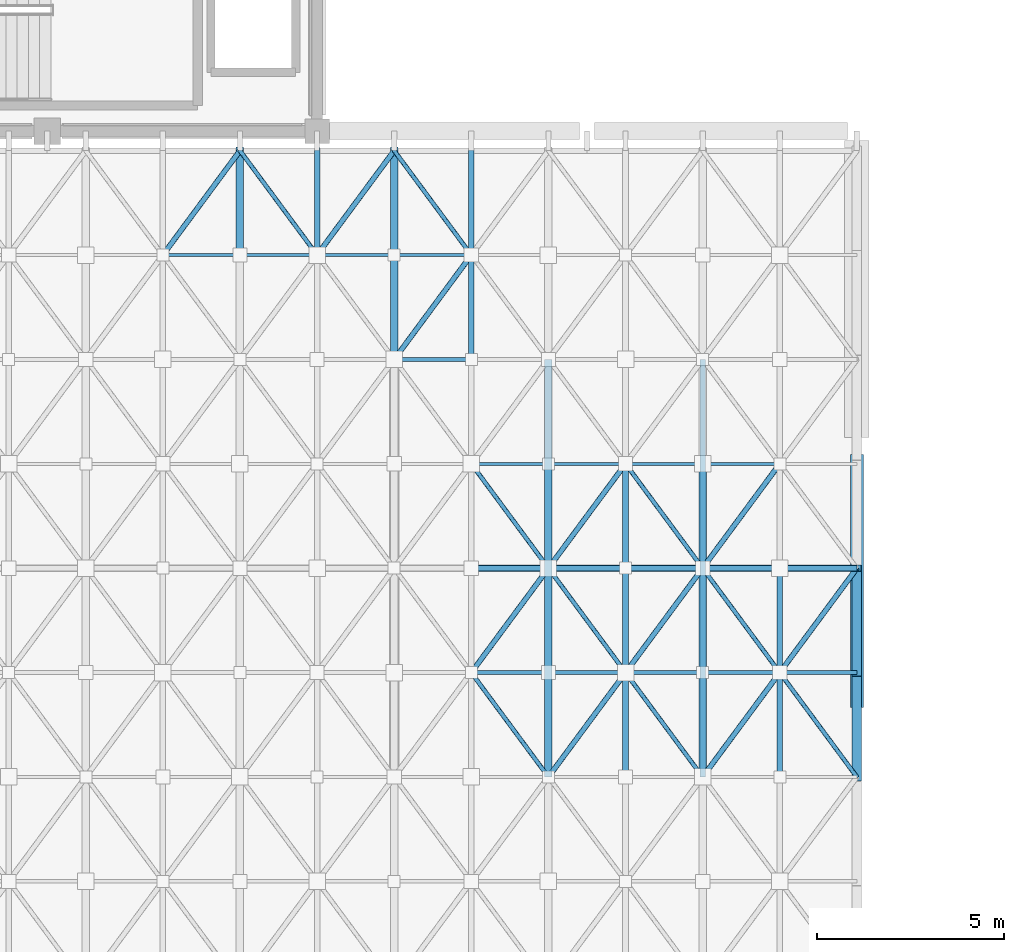
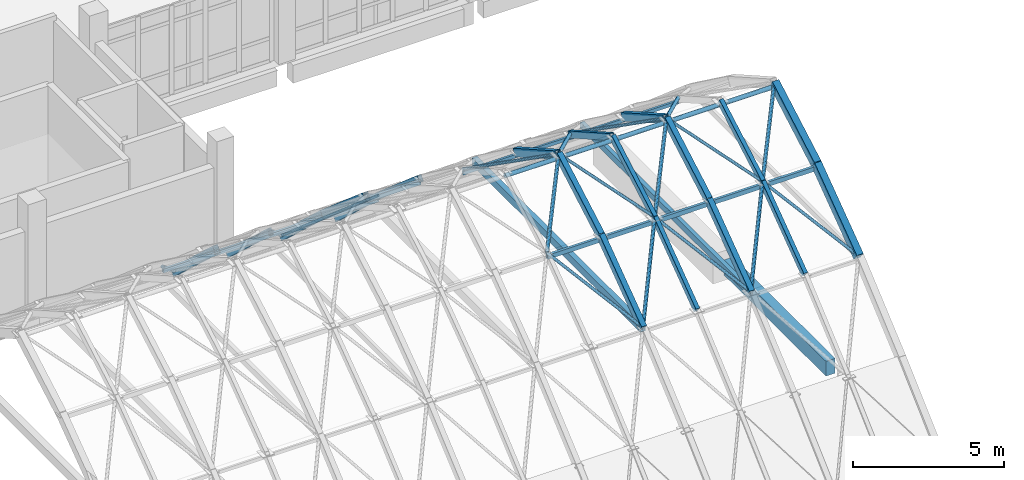
# One storey, part 38 of 87: 59 members, 1 beam.
"""IFC4 building model written with IfcOpenShell, lengths in metres."""

import ifcopenshell
import ifcopenshell.guid

model = None  # the IFC model being written
_history = None  # IfcOwnerHistory: only IFC2X3 demands one
_inside = {}  # id of a spatial element -> (the spatial element, [elements in it])
_under = {}  # id of a project, library or spatial element -> (it, [spatial elements below it])
_declared = {}  # id of a project -> (the project, [libraries it declares])
_typed = {}  # id of a type object -> (the type object, [elements of that type])
_made_of = {}  # id of a material, layer set ... -> (it, [elements and type objects made of it])


def new_model(schema):
    """Start an empty IFC model of exactly this schema.

    Asked for "IFC4X3", IfcOpenShell would pick the latest addendum, in which some entities
    have other attributes; the version numbers below select the first issue.
    IFC2X3 requires an IfcOwnerHistory on every rooted entity: one is made here for all.
    """
    global model, _history
    if schema == "IFC4X3":
        model = ifcopenshell.file(schema_version=(4, 3, 0, 0))
    else:
        model = ifcopenshell.file(schema=schema)
    _inside.clear()
    _under.clear()
    _declared.clear()
    _typed.clear()
    _made_of.clear()
    _history = None
    if model.schema == "IFC2X3":
        org = make("IfcOrganization", Name="unknown")
        user = make(
            "IfcPersonAndOrganization",
            ThePerson=make("IfcPerson", FamilyName="unknown"),
            TheOrganization=org,
        )
        app = make(
            "IfcApplication",
            ApplicationDeveloper=org,
            Version="unknown",
            ApplicationFullName="unknown",
            ApplicationIdentifier="unknown",
        )
        _history = make(
            "IfcOwnerHistory",
            OwningUser=user,
            OwningApplication=app,
            ChangeAction="ADDED",
            CreationDate=0,
        )
    return model


def make(cls, **values):
    """One entity of the class cls with the attributes given. An attribute that is None is left unset."""
    return model.create_entity(
        cls, **{name: value for name, value in values.items() if value is not None}
    )


def rooted(cls, **values):
    """An entity with a GlobalId (a new one), such as an element, a storey or a relation."""
    return make(cls, GlobalId=ifcopenshell.guid.new(), OwnerHistory=_history, **values)


def si_unit(unit_type, name, prefix=None):
    """IfcSIUnit, for example si_unit("LENGTHUNIT", "METRE", prefix="MILLI")."""
    return make("IfcSIUnit", UnitType=unit_type, Prefix=prefix, Name=name)


def assignment(units):
    """IfcUnitAssignment: the units of a project."""
    return None if units is None else make("IfcUnitAssignment", Units=units)


def point(xyz):
    """IfcCartesianPoint."""
    return None if xyz is None else make("IfcCartesianPoint", Coordinates=xyz)


def direction(xyz):
    """IfcDirection."""
    return None if xyz is None else make("IfcDirection", DirectionRatios=xyz)


def frame(location, z_axis=None, x_axis=None):
    """IfcAxis2Placement3D, a coordinate frame: its origin and axes. An axis left out is left unset."""
    return make(
        "IfcAxis2Placement3D",
        Location=point(location),
        Axis=direction(z_axis),
        RefDirection=direction(x_axis),
    )


def frame_2d(location, x_axis=None):
    """IfcAxis2Placement2D, a coordinate frame in the plane: its origin and x axis."""
    return make(
        "IfcAxis2Placement2D", Location=point(location), RefDirection=direction(x_axis)
    )


def origin():
    """The frame at (0, 0, 0) with its axes left unset."""
    return frame((0.0, 0.0, 0.0))


def origin_2d():
    """The frame at (0, 0) in the plane with its x axis left unset."""
    return frame_2d((0.0, 0.0))


def place(relative_to, where):
    """IfcLocalPlacement: puts the frame where relative to a parent placement (None: the world)."""
    return make(
        "IfcLocalPlacement", PlacementRelTo=relative_to, RelativePlacement=where
    )


def context(
    kind, dimensions, precision=None, world=None, true_north=None, identifier=None
):
    """IfcGeometricRepresentationContext, for example the 3D "Model" context."""
    return make(
        "IfcGeometricRepresentationContext",
        ContextIdentifier=identifier,
        ContextType=kind,
        CoordinateSpaceDimension=dimensions,
        Precision=precision,
        WorldCoordinateSystem=world,
        TrueNorth=true_north,
    )


def subcontext(parent, identifier, kind, view, scale=None):
    """IfcGeometricRepresentationSubContext, for example "Body" below "Model"."""
    return make(
        "IfcGeometricRepresentationSubContext",
        ContextIdentifier=identifier,
        ContextType=kind,
        ParentContext=parent,
        TargetScale=scale,
        TargetView=view,
    )


def project(units=None, contexts=None):
    """IfcProject with its units and contexts."""
    return rooted(
        "IfcProject",
        Name="project",
        RepresentationContexts=contexts,
        UnitsInContext=assignment(units),
    )


def spatial(cls, under=None, at=None, **own):
    """A site, building, storey or space (cls), placed at a placement, below another one or the project."""
    s = rooted(cls, ObjectPlacement=at, **own)
    if under is not None:
        _under.setdefault(under.id(), (under, []))[1].append(s)
    return s


def profile(cls, at=None, kind="AREA", **sizes):
    """A parametric profile (cls). Its sizes go by their IFC names, for example OverallWidth=200.0."""
    return make(cls, ProfileType=kind, Position=at, **sizes)


def rectangle(**sizes):
    """IfcRectangleProfileDef."""
    return profile("IfcRectangleProfileDef", **sizes)


def hollow_rectangle(**sizes):
    """IfcRectangleHollowProfileDef."""
    return profile("IfcRectangleHollowProfileDef", **sizes)


def hollow_circle(**sizes):
    """IfcCircleHollowProfileDef."""
    return profile("IfcCircleHollowProfileDef", **sizes)


def extrude(swept, where, along, depth):
    """IfcExtrudedAreaSolid: the profile swept, set in the frame where, extruded along a direction by depth."""
    return make(
        "IfcExtrudedAreaSolid",
        SweptArea=swept,
        Position=where,
        ExtrudedDirection=direction(along),
        Depth=depth,
    )


def shape(context_of_items, identifier, shape_type, items):
    """IfcShapeRepresentation: the items that make up one representation, for example the "Body"."""
    return make(
        "IfcShapeRepresentation",
        ContextOfItems=context_of_items,
        RepresentationIdentifier=identifier,
        RepresentationType=shape_type,
        Items=items,
    )


def material(Name=None, Category=None):
    """IfcMaterial."""
    return make("IfcMaterial", Name=Name, Category=Category)


def material_profile(
    of_material, cross_section, Name=None, Category=None, Priority=None
):
    """IfcMaterialProfile: a cross section and its material."""
    return make(
        "IfcMaterialProfile",
        Name=Name,
        Material=of_material,
        Profile=cross_section,
        Priority=Priority,
        Category=Category,
    )


def profile_set(profiles, Name=None, composite=None):
    """IfcMaterialProfileSet."""
    return make(
        "IfcMaterialProfileSet",
        Name=Name,
        MaterialProfiles=profiles,
        CompositeProfile=composite,
    )


def made_of(thing, what):
    """Note that an element or type object is made of a material, layer set ...; save() writes the relation."""
    if what is not None:
        _made_of.setdefault(what.id(), (what, []))[1].append(thing)
    return thing


def type_object(cls, material=None, **own):
    """A type object (cls), such as IfcWallType, which elements share."""
    return made_of(rooted(cls, **own), material)


def element(
    cls,
    number,
    at=None,
    inside=None,
    cuts=None,
    type_object=None,
    material=None,
    context=None,
    identifier="Body",
    shape_type=None,
    held_by="IfcProductDefinitionShape",
    body=None,
    shapes=None,
    **own,
):
    """One element of the class cls, such as IfcWall. Its Tag is "e" and its number.

    at: its placement. inside: the storey or other place that contains it. cuts: it is an
    opening in that element (IfcRelVoidsElement). A single representation is given by context,
    identifier, shape_type and body (its items); several are given by shapes. held_by: the class
    of the entity that holds the representations. save() writes the other relations.
    """
    e = rooted(cls, Tag="e%d" % number, ObjectPlacement=at, **own)
    if body is not None:
        shapes = [shape(context, identifier, shape_type, body)]
    if shapes is not None:
        e.Representation = make(held_by, Representations=shapes)
    if inside is not None:
        _inside.setdefault(inside.id(), (inside, []))[1].append(e)
    if cuts is not None:
        rooted(
            "IfcRelVoidsElement", RelatingBuildingElement=cuts, RelatedOpeningElement=e
        )
    if type_object is not None:
        _typed.setdefault(type_object.id(), (type_object, []))[1].append(e)
    return made_of(e, material)


def aggregate(whole, parts):
    """IfcRelAggregates: a whole, such as a stair, and the parts it consists of."""
    return rooted("IfcRelAggregates", RelatingObject=whole, RelatedObjects=parts)


def save(model, path):
    """Write the relations noted so far, then the file.

    IfcRelAggregates (storeys below a building ...), IfcRelContainedInSpatialStructure (elements
    in a storey), IfcRelDefinesByType, IfcRelAssociatesMaterial and IfcRelDeclares: one each for
    every whole, place, type object, material and project.
    """
    for whole, parts in _under.values():
        aggregate(whole, parts)
    for where, things in _inside.values():
        rooted(
            "IfcRelContainedInSpatialStructure",
            RelatedElements=things,
            RelatingStructure=where,
        )
    for kind, things in _typed.values():
        rooted("IfcRelDefinesByType", RelatedObjects=things, RelatingType=kind)
    for what, things in _made_of.values():
        rooted("IfcRelAssociatesMaterial", RelatedObjects=things, RelatingMaterial=what)
    for by, libraries in _declared.values():
        rooted("IfcRelDeclares", RelatingContext=by, RelatedDefinitions=libraries)
    model.write(path)


model = new_model("IFC4")

# Units and contexts
model_context = context("Model", 3, precision=1e-05, world=origin(), true_north=direction((0.0, 1.0)))
body_context = subcontext(model_context, "Body", "Model", "MODEL_VIEW")
ifc_project = project(units=[si_unit("LENGTHUNIT", "METRE"), si_unit("AREAUNIT", "SQUARE_METRE"), si_unit("VOLUMEUNIT", "CUBIC_METRE"), si_unit("PLANEANGLEUNIT", "RADIAN"), si_unit("MASSUNIT", "GRAM", prefix="KILO")], contexts=[model_context])

# Site, building, storey
site_placement = place(None, origin())
site = spatial("IfcSite", under=ifc_project, at=site_placement, CompositionType="ELEMENT")
building_placement = place(site_placement, origin())
building = spatial("IfcBuilding", under=site, at=building_placement, Name="Kalluvel Institute of Natural Sciences", CompositionType="ELEMENT")
storey_placement = place(building_placement, frame((0.0, 0.0, 18.89990234375)))
storey = spatial("IfcBuildingStorey", under=building, at=storey_placement, Name="L04", CompositionType="ELEMENT", Elevation=18.89990234375)

# Beam
ifc_material_1 = material(Name="Concrete M40", Category="concrete")
ifc_material_profile_1 = material_profile(ifc_material_1, rectangle(XDim=0.35009765625, YDim=0.60009765625, at=origin_2d()), Name="RCB 350x600")
ifc_profile_set_1 = profile_set([ifc_material_profile_1], Name="Concrete M40")
beam_type = type_object("IfcBeamType", Name="BM-RC350x600", PredefinedType="BEAM", material=ifc_profile_set_1)
beam_placement = place(storey_placement, frame((71.60009765625, 79.02490234375, -0.619873046875), z_axis=(0.0, 1.0, 0.0), x_axis=(-1.0, 0.0, 0.0)))
element("IfcBeam", 1, at=beam_placement, inside=storey, type_object=beam_type, Name="L04 girder GIR-L04-NS-X716-Y788", PredefinedType="BEAM", context=body_context, shape_type="SweptSolid", body=[
    extrude(rectangle(XDim=0.35009765625, YDim=0.60009765625, at=origin_2d()), origin(), (0.0, 0.0, 1.0), 6.75),
])

# Members
ifc_material_2 = material(Name="Steel E350 Grade 350", Category="steel")
ifc_material_profile_2 = material_profile(ifc_material_2, hollow_rectangle(XDim=0.14990234375, YDim=0.25, WallThickness=0.010009765625, at=origin_2d()), Name="RHS 250x150x10")
ifc_profile_set_2 = profile_set([ifc_material_profile_2], Name="Steel E350 Grade 350")
member_type_1 = type_object("IfcMemberType", Name="MB-ARCH-RHS250", PredefinedType="CHORD", material=ifc_profile_set_2)
member_1_placement = place(storey_placement, frame((67.485595703125, 77.169921875, 4.976806640625), z_axis=(0.0, 1.0, 0.0), x_axis=(-1.0, 0.0, 0.0)))
element("IfcMember", 2, at=member_1_placement, inside=storey, type_object=member_type_1, Name="Atrium gridshell Gothic collar tie chord 7", PredefinedType="CHORD", context=body_context, shape_type="SweptSolid", body=[
    extrude(hollow_rectangle(XDim=0.14990234375, YDim=0.25, WallThickness=0.010009765625, at=origin_2d()), origin(), (0.0, 0.0, 1.0), 11.14013671875),
])
ifc_material_profile_3 = material_profile(ifc_material_2, hollow_rectangle(XDim=0.199951171875, YDim=0.300048828125, WallThickness=0.011962890625, at=origin_2d()), Name="RHS 300x200x12")
ifc_profile_set_3 = profile_set([ifc_material_profile_3], Name="Steel E350 Grade 350")
member_type_2 = type_object("IfcMemberType", Name="MB-ARCH-RHS300", PredefinedType="CHORD", material=ifc_profile_set_3)
member_2_placement = place(storey_placement, frame((63.371337890625, 77.169921875, 4.976806640625), z_axis=(0.0, 1.0, 0.0), x_axis=(-1.0, 0.0, 0.0)))
element("IfcMember", 3, at=member_2_placement, inside=storey, type_object=member_type_2, Name="Atrium gridshell Gothic collar tie chord 6", PredefinedType="CHORD", context=body_context, shape_type="SweptSolid", body=[
    extrude(hollow_rectangle(XDim=0.199951171875, YDim=0.300048828125, WallThickness=0.011962890625, at=origin_2d()), origin(), (0.0, 0.0, 1.0), 11.14013671875),
])
ifc_material_profile_4 = material_profile(ifc_material_2, hollow_rectangle(XDim=0.14990234375, YDim=0.25, WallThickness=0.010009765625, at=origin_2d()), Name="RHS 250x150x10")
ifc_profile_set_4 = profile_set([ifc_material_profile_4], Name="Steel E350 Grade 350")
member_type_3 = type_object("IfcMemberType", Name="MB-ARCH-SEG250", PredefinedType="USERDEFINED", material=ifc_profile_set_4)
member_3_placement = place(storey_placement, frame((57.199951171875, 91.094970703125, 2.583740234375), z_axis=(0.0, 0.733088696682, -0.680133047864), x_axis=(-1.0, 0.0, 0.0)))
element("IfcMember", 4, at=member_3_placement, inside=storey, type_object=member_type_3, Name="Atrium gridshell pointed arch segment 64", ObjectType="ARCH_SEGMENT", PredefinedType="USERDEFINED", context=body_context, shape_type="SweptSolid", body=[
    extrude(hollow_rectangle(XDim=0.14990234375, YDim=0.25, WallThickness=0.010009765625, at=origin_2d()), origin(), (0.0, 0.0, 1.0), 3.798828125),
])
member_4_placement = place(storey_placement, frame((61.314208984375, 88.31005859375, 4.976806640625), z_axis=(0.0, 0.758448754264, -0.651732680748), x_axis=(-1.0, 0.0, 0.0)))
element("IfcMember", 5, at=member_4_placement, inside=storey, type_object=member_type_3, Name="Atrium gridshell pointed arch segment 79", ObjectType="ARCH_SEGMENT", PredefinedType="USERDEFINED", context=body_context, shape_type="SweptSolid", body=[
    extrude(hollow_rectangle(XDim=0.14990234375, YDim=0.25, WallThickness=0.010009765625, at=origin_2d()), origin(), (0.0, 0.0, 1.0), 3.671875),
])
member_5_placement = place(storey_placement, frame((61.314208984375, 91.094970703125, 2.583740234375), z_axis=(0.0, 0.733088696682, -0.680133047864), x_axis=(-1.0, 0.0, 0.0)))
element("IfcMember", 6, at=member_5_placement, inside=storey, type_object=member_type_3, Name="Atrium gridshell pointed arch segment 80", ObjectType="ARCH_SEGMENT", PredefinedType="USERDEFINED", context=body_context, shape_type="SweptSolid", body=[
    extrude(hollow_rectangle(XDim=0.14990234375, YDim=0.25, WallThickness=0.010009765625, at=origin_2d()), origin(), (0.0, 0.0, 1.0), 3.798828125),
])
member_6_placement = place(storey_placement, frame((65.4287109375, 77.169921875, 4.976806640625), z_axis=(0.0, 0.806535340499, 0.591185879843), x_axis=(-1.0, 0.0, 0.0)))
element("IfcMember", 7, at=member_6_placement, inside=storey, type_object=member_type_3, Name="Atrium gridshell pointed arch segment 91", ObjectType="ARCH_SEGMENT", PredefinedType="USERDEFINED", context=body_context, shape_type="SweptSolid", body=[
    extrude(hollow_rectangle(XDim=0.14990234375, YDim=0.25, WallThickness=0.010009765625, at=origin_2d()), origin(), (0.0, 0.0, 1.0), 3.453125),
])
for number, where, z_axis, x_axis, name in (
    (8, (65.4287109375, 79.955078125, 7.018310546875), (0.0, 0.869530215722, 0.493879746442), (-1.0, 0.0, 0.0), "Atrium gridshell pointed arch segment 92"),
    (9, (65.4287109375, 82.739990234375, 8.60009765625), (0.0, 0.869530215722, -0.493879746442), (-1.0, 0.0, 0.0), "Atrium gridshell pointed arch segment 93"),
):
    element("IfcMember", number, at=place(storey_placement, frame(where, z_axis=z_axis, x_axis=x_axis)), inside=storey, type_object=member_type_3, Name=name, ObjectType="ARCH_SEGMENT", PredefinedType="USERDEFINED", context=body_context, shape_type="SweptSolid", body=[
        extrude(hollow_rectangle(XDim=0.14990234375, YDim=0.25, WallThickness=0.010009765625, at=origin_2d()), origin(), (0.0, 0.0, 1.0), 3.202880859375),
    ])
member_7_placement = place(storey_placement, frame((69.54296875, 77.169921875, 4.976806640625), z_axis=(0.0, 0.806535340499, 0.591185879843), x_axis=(-1.0, 0.0, 0.0)))
element("IfcMember", 10, at=member_7_placement, inside=storey, type_object=member_type_3, Name="Atrium gridshell pointed arch segment 107", ObjectType="ARCH_SEGMENT", PredefinedType="USERDEFINED", context=body_context, shape_type="SweptSolid", body=[
    extrude(hollow_rectangle(XDim=0.14990234375, YDim=0.25, WallThickness=0.010009765625, at=origin_2d()), origin(), (0.0, 0.0, 1.0), 3.453125),
])
member_8_placement = place(storey_placement, frame((69.54296875, 79.955078125, 7.018310546875), z_axis=(0.0, 0.869530215722, 0.493879746442), x_axis=(-1.0, 0.0, 0.0)))
element("IfcMember", 11, at=member_8_placement, inside=storey, type_object=member_type_3, Name="Atrium gridshell pointed arch segment 108", ObjectType="ARCH_SEGMENT", PredefinedType="USERDEFINED", context=body_context, shape_type="SweptSolid", body=[
    extrude(hollow_rectangle(XDim=0.14990234375, YDim=0.25, WallThickness=0.010009765625, at=origin_2d()), origin(), (0.0, 0.0, 1.0), 3.202880859375),
])
ifc_material_profile_5 = material_profile(ifc_material_2, hollow_rectangle(XDim=0.199951171875, YDim=0.300048828125, WallThickness=0.011962890625, at=origin_2d()), Name="RHS 300x200x12")
ifc_profile_set_5 = profile_set([ifc_material_profile_5], Name="Steel E350 Grade 350")
member_type_4 = type_object("IfcMemberType", Name="MB-ARCH-SEG300", PredefinedType="USERDEFINED", material=ifc_profile_set_5)
member_9_placement = place(storey_placement, frame((55.142822265625, 91.094970703125, 2.583740234375), z_axis=(0.0, 0.733088696682, -0.680133047864), x_axis=(-1.0, 0.0, 0.0)))
element("IfcMember", 12, at=member_9_placement, inside=storey, type_object=member_type_4, Name="Atrium gridshell pointed arch segment 56", ObjectType="ARCH_SEGMENT", PredefinedType="USERDEFINED", context=body_context, shape_type="SweptSolid", body=[
    extrude(hollow_rectangle(XDim=0.199951171875, YDim=0.300048828125, WallThickness=0.011962890625, at=origin_2d()), origin(), (0.0, 0.0, 1.0), 3.798828125),
])
member_10_placement = place(storey_placement, frame((59.257080078125, 88.31005859375, 4.976806640625), z_axis=(0.0, 0.758448754264, -0.651732680748), x_axis=(-1.0, 0.0, 0.0)))
element("IfcMember", 13, at=member_10_placement, inside=storey, type_object=member_type_4, Name="Atrium gridshell pointed arch segment 71", ObjectType="ARCH_SEGMENT", PredefinedType="USERDEFINED", context=body_context, shape_type="SweptSolid", body=[
    extrude(hollow_rectangle(XDim=0.199951171875, YDim=0.300048828125, WallThickness=0.011962890625, at=origin_2d()), origin(), (0.0, 0.0, 1.0), 3.671875),
])
member_11_placement = place(storey_placement, frame((59.257080078125, 91.094970703125, 2.583740234375), z_axis=(0.0, 0.733088696682, -0.680133047864), x_axis=(-1.0, 0.0, 0.0)))
element("IfcMember", 14, at=member_11_placement, inside=storey, type_object=member_type_4, Name="Atrium gridshell pointed arch segment 72", ObjectType="ARCH_SEGMENT", PredefinedType="USERDEFINED", context=body_context, shape_type="SweptSolid", body=[
    extrude(hollow_rectangle(XDim=0.199951171875, YDim=0.300048828125, WallThickness=0.011962890625, at=origin_2d()), origin(), (0.0, 0.0, 1.0), 3.798828125),
])
member_12_placement = place(storey_placement, frame((63.371337890625, 77.169921875, 4.976806640625), z_axis=(0.0, 0.806535340499, 0.591185879843), x_axis=(-1.0, 0.0, 0.0)))
element("IfcMember", 15, at=member_12_placement, inside=storey, type_object=member_type_4, Name="Atrium gridshell pointed arch segment 83", ObjectType="ARCH_SEGMENT", PredefinedType="USERDEFINED", context=body_context, shape_type="SweptSolid", body=[
    extrude(hollow_rectangle(XDim=0.199951171875, YDim=0.300048828125, WallThickness=0.011962890625, at=origin_2d()), origin(), (0.0, 0.0, 1.0), 3.453125),
])
for number, where, z_axis, x_axis, name in (
    (16, (63.371337890625, 79.955078125, 7.018310546875), (0.0, 0.869530215722, 0.493879746442), (-1.0, 0.0, 0.0), "Atrium gridshell pointed arch segment 84"),
    (17, (63.371337890625, 82.739990234375, 8.60009765625), (0.0, 0.869530215722, -0.493879746442), (-1.0, 0.0, 0.0), "Atrium gridshell pointed arch segment 85"),
):
    element("IfcMember", number, at=place(storey_placement, frame(where, z_axis=z_axis, x_axis=x_axis)), inside=storey, type_object=member_type_4, Name=name, ObjectType="ARCH_SEGMENT", PredefinedType="USERDEFINED", context=body_context, shape_type="SweptSolid", body=[
        extrude(hollow_rectangle(XDim=0.199951171875, YDim=0.300048828125, WallThickness=0.011962890625, at=origin_2d()), origin(), (0.0, 0.0, 1.0), 3.202880859375),
    ])
member_13_placement = place(storey_placement, frame((67.485595703125, 77.169921875, 4.976806640625), z_axis=(0.0, 0.806535340499, 0.591185879843), x_axis=(-1.0, 0.0, 0.0)))
element("IfcMember", 18, at=member_13_placement, inside=storey, type_object=member_type_4, Name="Atrium gridshell pointed arch segment 99", ObjectType="ARCH_SEGMENT", PredefinedType="USERDEFINED", context=body_context, shape_type="SweptSolid", body=[
    extrude(hollow_rectangle(XDim=0.199951171875, YDim=0.300048828125, WallThickness=0.011962890625, at=origin_2d()), origin(), (0.0, 0.0, 1.0), 3.453125),
])
for number, where, z_axis, x_axis, name in (
    (19, (67.485595703125, 79.955078125, 7.018310546875), (0.0, 0.869530215722, 0.493879746442), (-1.0, 0.0, 0.0), "Atrium gridshell pointed arch segment 100"),
    (20, (67.485595703125, 82.739990234375, 8.60009765625), (0.0, 0.869530215722, -0.493879746442), (-1.0, 0.0, 0.0), "Atrium gridshell pointed arch segment 101"),
):
    element("IfcMember", number, at=place(storey_placement, frame(where, z_axis=z_axis, x_axis=x_axis)), inside=storey, type_object=member_type_4, Name=name, ObjectType="ARCH_SEGMENT", PredefinedType="USERDEFINED", context=body_context, shape_type="SweptSolid", body=[
        extrude(hollow_rectangle(XDim=0.199951171875, YDim=0.300048828125, WallThickness=0.011962890625, at=origin_2d()), origin(), (0.0, 0.0, 1.0), 3.202880859375),
    ])
ifc_material_profile_6 = material_profile(ifc_material_2, hollow_rectangle(XDim=0.25, YDim=0.35009765625, WallThickness=0.012451171875, at=origin_2d()), Name="RHS 350x250x12")
ifc_profile_set_6 = profile_set([ifc_material_profile_6], Name="Steel E350 Grade 350")
member_type_5 = type_object("IfcMemberType", Name="MB-ARCH-SEG350", PredefinedType="USERDEFINED", material=ifc_profile_set_6)
member_14_placement = place(storey_placement, frame((71.60009765625, 77.169921875, 4.976806640625), z_axis=(0.0, 0.806535340499, 0.591185879843), x_axis=(-1.0, 0.0, 0.0)))
element("IfcMember", 21, at=member_14_placement, inside=storey, type_object=member_type_5, Name="Atrium gridshell pointed arch segment 115", ObjectType="ARCH_SEGMENT", PredefinedType="USERDEFINED", context=body_context, shape_type="SweptSolid", body=[
    extrude(hollow_rectangle(XDim=0.25, YDim=0.35009765625, WallThickness=0.012451171875, at=origin_2d()), origin(), (0.0, 0.0, 1.0), 3.453125),
])
member_15_placement = place(storey_placement, frame((71.60009765625, 79.955078125, 7.018310546875), z_axis=(0.0, 0.869530215722, 0.493879746442), x_axis=(-1.0, 0.0, 0.0)))
element("IfcMember", 22, at=member_15_placement, inside=storey, type_object=member_type_5, Name="Atrium gridshell pointed arch segment 116", ObjectType="ARCH_SEGMENT", PredefinedType="USERDEFINED", context=body_context, shape_type="SweptSolid", body=[
    extrude(hollow_rectangle(XDim=0.25, YDim=0.35009765625, WallThickness=0.012451171875, at=origin_2d()), origin(), (0.0, 0.0, 1.0), 3.202880859375),
])
ifc_material_profile_7 = material_profile(ifc_material_2, hollow_circle(Radius=0.05712890625, WallThickness=0.006103515625, at=origin_2d()), Name="CHS 114.3x6.0")
ifc_profile_set_7 = profile_set([ifc_material_profile_7], Name="Steel E350 Grade 350")
member_type_6 = type_object("IfcMemberType", Name="MB-BR-CHS114", PredefinedType="BRACE", material=ifc_profile_set_7)
for number, where, z_axis, x_axis, name in (
    (23, (57.199951171875, 91.094970703125, 2.603759765625), (-0.476176678593, 0.644641273761, -0.598074743597), (-0.804353425168, -0.594151131802, 0.0), "Atrium gridshell diagonal brace 56"),
    (24, (61.314208984375, 91.094970703125, 2.603759765625), (-0.476176678593, 0.644641273761, -0.598074743597), (-0.804353425168, -0.594151131802, 0.0), "Atrium gridshell diagonal brace 72"),
):
    element("IfcMember", number, at=place(storey_placement, frame(where, z_axis=z_axis, x_axis=x_axis)), inside=storey, type_object=member_type_6, Name=name, PredefinedType="BRACE", context=body_context, shape_type="SweptSolid", body=[
        extrude(hollow_circle(Radius=0.05712890625, WallThickness=0.006103515625, at=origin_2d()), origin(), (0.0, 0.0, 1.0), 4.320068359375),
    ])
member_16_placement = place(storey_placement, frame((63.371337890625, 77.169921875, 4.996826171875), z_axis=(-0.51178357928, 0.692906132498, 0.507896307849), x_axis=(-0.804378315597, -0.594117434013, 0.0)))
element("IfcMember", 25, at=member_16_placement, inside=storey, type_object=member_type_6, Name="Atrium gridshell diagonal brace 75", PredefinedType="BRACE", context=body_context, shape_type="SweptSolid", body=[
    extrude(hollow_circle(Radius=0.05712890625, WallThickness=0.006103515625, at=origin_2d()), origin(), (0.0, 0.0, 1.0), 4.01953125),
])
member_17_placement = place(storey_placement, frame((63.371337890625, 82.739990234375, 8.6201171875), z_axis=(-0.540423006608, 0.731617046805, -0.415547194376), x_axis=(-0.804353425168, -0.594151131802, 0.0)))
element("IfcMember", 26, at=member_17_placement, inside=storey, type_object=member_type_6, Name="Atrium gridshell diagonal brace 77", PredefinedType="BRACE", context=body_context, shape_type="SweptSolid", body=[
    extrude(hollow_circle(Radius=0.05712890625, WallThickness=0.006103515625, at=origin_2d()), origin(), (0.0, 0.0, 1.0), 3.806396484375),
])
member_18_placement = place(storey_placement, frame((65.4287109375, 79.955078125, 7.038330078125), z_axis=(-0.540468409976, 0.731591687741, 0.415532790819), x_axis=(-0.804319726107, -0.594196750408, 0.0)))
element("IfcMember", 27, at=member_18_placement, inside=storey, type_object=member_type_6, Name="Atrium gridshell diagonal brace 84", PredefinedType="BRACE", context=body_context, shape_type="SweptSolid", body=[
    extrude(hollow_circle(Radius=0.05712890625, WallThickness=0.006103515625, at=origin_2d()), origin(), (0.0, 0.0, 1.0), 3.806640625),
])
member_19_placement = place(storey_placement, frame((67.485595703125, 77.169921875, 4.996826171875), z_axis=(-0.511738747379, 0.692927671229, 0.507912095619), x_axis=(-0.804412012113, -0.594071809437, 0.0)))
element("IfcMember", 28, at=member_19_placement, inside=storey, type_object=member_type_6, Name="Atrium gridshell diagonal brace 91", PredefinedType="BRACE", context=body_context, shape_type="SweptSolid", body=[
    extrude(hollow_circle(Radius=0.05712890625, WallThickness=0.006103515625, at=origin_2d()), origin(), (0.0, 0.0, 1.0), 4.019287109375),
])
member_20_placement = place(storey_placement, frame((67.485595703125, 82.739990234375, 8.6201171875), z_axis=(-0.540377598518, 0.731642405495, -0.415561597721), x_axis=(-0.804387124464, -0.594105507461, 0.0)))
element("IfcMember", 29, at=member_20_placement, inside=storey, type_object=member_type_6, Name="Atrium gridshell diagonal brace 93", PredefinedType="BRACE", context=body_context, shape_type="SweptSolid", body=[
    extrude(hollow_circle(Radius=0.05712890625, WallThickness=0.006103515625, at=origin_2d()), origin(), (0.0, 0.0, 1.0), 3.806396484375),
])
member_21_placement = place(storey_placement, frame((69.54296875, 79.955078125, 7.038330078125), z_axis=(-0.540468409976, 0.731591687741, 0.415532790819), x_axis=(-0.804319726107, -0.594196750408, 0.0)))
element("IfcMember", 30, at=member_21_placement, inside=storey, type_object=member_type_6, Name="Atrium gridshell diagonal brace 100", PredefinedType="BRACE", context=body_context, shape_type="SweptSolid", body=[
    extrude(hollow_circle(Radius=0.05712890625, WallThickness=0.006103515625, at=origin_2d()), origin(), (0.0, 0.0, 1.0), 3.806640625),
])
member_22_placement = place(storey_placement, frame((71.60009765625, 77.169921875, 4.996826171875), z_axis=(-0.51178357928, 0.692906132498, 0.507896307849), x_axis=(-0.804378315597, -0.594117434013, 0.0)))
element("IfcMember", 31, at=member_22_placement, inside=storey, type_object=member_type_6, Name="Atrium gridshell diagonal brace 107", PredefinedType="BRACE", context=body_context, shape_type="SweptSolid", body=[
    extrude(hollow_circle(Radius=0.05712890625, WallThickness=0.006103515625, at=origin_2d()), origin(), (0.0, 0.0, 1.0), 4.01953125),
])
ifc_material_profile_8 = material_profile(ifc_material_2, hollow_circle(Radius=0.06982421875, WallThickness=0.008056640625, at=origin_2d()), Name="CHS 139.7x8.0")
ifc_profile_set_8 = profile_set([ifc_material_profile_8], Name="Steel E350 Grade 350")
member_type_7 = type_object("IfcMemberType", Name="MB-BR-CHS139", PredefinedType="BRACE", material=ifc_profile_set_8)
for number, where, z_axis, x_axis, name in (
    (32, (53.085693359375, 91.094970703125, 2.603759765625), (0.476176678593, 0.644641273761, -0.598074743597), (-0.804353425168, 0.594151131802, 0.0), "Atrium gridshell diagonal brace 48"),
    (33, (57.199951171875, 91.094970703125, 2.603759765625), (0.476176678593, 0.644641273761, -0.598074743597), (-0.804353425168, 0.594151131802, 0.0), "Atrium gridshell diagonal brace 64"),
):
    element("IfcMember", number, at=place(storey_placement, frame(where, z_axis=z_axis, x_axis=x_axis)), inside=storey, type_object=member_type_7, Name=name, PredefinedType="BRACE", context=body_context, shape_type="SweptSolid", body=[
        extrude(hollow_circle(Radius=0.06982421875, WallThickness=0.008056640625, at=origin_2d()), origin(), (0.0, 0.0, 1.0), 4.320068359375),
    ])
member_23_placement = place(storey_placement, frame((59.257080078125, 88.31005859375, 4.996826171875), z_axis=(0.488764589812, 0.661682610489, -0.568581831158), x_axis=(-0.804353425168, 0.594151131802, 0.0)))
element("IfcMember", 34, at=member_23_placement, inside=storey, type_object=member_type_7, Name="Atrium gridshell diagonal brace 71", PredefinedType="BRACE", context=body_context, shape_type="SweptSolid", body=[
    extrude(hollow_circle(Radius=0.06982421875, WallThickness=0.008056640625, at=origin_2d()), origin(), (0.0, 0.0, 1.0), 4.208740234375),
])
member_24_placement = place(storey_placement, frame((61.314208984375, 79.955078125, 7.038330078125), z_axis=(0.540423006608, 0.731617046805, 0.415547194376), x_axis=(-0.804353425168, 0.594151131802, 0.0)))
element("IfcMember", 35, at=member_24_placement, inside=storey, type_object=member_type_7, Name="Atrium gridshell diagonal brace 76", PredefinedType="BRACE", context=body_context, shape_type="SweptSolid", body=[
    extrude(hollow_circle(Radius=0.06982421875, WallThickness=0.008056640625, at=origin_2d()), origin(), (0.0, 0.0, 1.0), 3.806396484375),
])
member_25_placement = place(storey_placement, frame((63.371337890625, 77.169921875, 4.996826171875), z_axis=(0.511828407, 0.692884593218, 0.507880519678), x_axis=(-0.804344619316, 0.594163052855, 0.0)))
element("IfcMember", 36, at=member_25_placement, inside=storey, type_object=member_type_7, Name="Atrium gridshell diagonal brace 83", PredefinedType="BRACE", context=body_context, shape_type="SweptSolid", body=[
    extrude(hollow_circle(Radius=0.06982421875, WallThickness=0.008056640625, at=origin_2d()), origin(), (0.0, 0.0, 1.0), 4.019775390625),
])
member_26_placement = place(storey_placement, frame((63.371337890625, 82.739990234375, 8.6201171875), z_axis=(0.540468409976, 0.731591687741, -0.415532790819), x_axis=(-0.804319726107, 0.594196750408, 0.0)))
element("IfcMember", 37, at=member_26_placement, inside=storey, type_object=member_type_7, Name="Atrium gridshell diagonal brace 85", PredefinedType="BRACE", context=body_context, shape_type="SweptSolid", body=[
    extrude(hollow_circle(Radius=0.06982421875, WallThickness=0.008056640625, at=origin_2d()), origin(), (0.0, 0.0, 1.0), 3.806640625),
])
member_27_placement = place(storey_placement, frame((65.4287109375, 79.955078125, 7.038330078125), z_axis=(0.540377598518, 0.731642405495, 0.415561597721), x_axis=(-0.804387124464, 0.594105507461, 0.0)))
element("IfcMember", 38, at=member_27_placement, inside=storey, type_object=member_type_7, Name="Atrium gridshell diagonal brace 92", PredefinedType="BRACE", context=body_context, shape_type="SweptSolid", body=[
    extrude(hollow_circle(Radius=0.06982421875, WallThickness=0.008056640625, at=origin_2d()), origin(), (0.0, 0.0, 1.0), 3.806396484375),
])
member_28_placement = place(storey_placement, frame((67.485595703125, 77.169921875, 4.996826171875), z_axis=(0.511828407, 0.692884593218, 0.507880519678), x_axis=(-0.804344619316, 0.594163052855, 0.0)))
element("IfcMember", 39, at=member_28_placement, inside=storey, type_object=member_type_7, Name="Atrium gridshell diagonal brace 99", PredefinedType="BRACE", context=body_context, shape_type="SweptSolid", body=[
    extrude(hollow_circle(Radius=0.06982421875, WallThickness=0.008056640625, at=origin_2d()), origin(), (0.0, 0.0, 1.0), 4.019775390625),
])
member_29_placement = place(storey_placement, frame((67.485595703125, 82.739990234375, 8.6201171875), z_axis=(0.540468409976, 0.731591687741, -0.415532790819), x_axis=(-0.804319726107, 0.594196750408, 0.0)))
element("IfcMember", 40, at=member_29_placement, inside=storey, type_object=member_type_7, Name="Atrium gridshell diagonal brace 101", PredefinedType="BRACE", context=body_context, shape_type="SweptSolid", body=[
    extrude(hollow_circle(Radius=0.06982421875, WallThickness=0.008056640625, at=origin_2d()), origin(), (0.0, 0.0, 1.0), 3.806640625),
])
member_30_placement = place(storey_placement, frame((69.54296875, 79.955078125, 7.038330078125), z_axis=(0.540423006608, 0.731617046805, 0.415547194376), x_axis=(-0.804353425168, 0.594151131802, 0.0)))
element("IfcMember", 41, at=member_30_placement, inside=storey, type_object=member_type_7, Name="Atrium gridshell diagonal brace 108", PredefinedType="BRACE", context=body_context, shape_type="SweptSolid", body=[
    extrude(hollow_circle(Radius=0.06982421875, WallThickness=0.008056640625, at=origin_2d()), origin(), (0.0, 0.0, 1.0), 3.806396484375),
])
ifc_material_profile_9 = material_profile(ifc_material_2, hollow_circle(Radius=0.084228515625, WallThickness=0.010009765625, at=origin_2d()), Name="CHS 168.3x10.0")
ifc_profile_set_9 = profile_set([ifc_material_profile_9], Name="Steel E350 Grade 350")
member_type_8 = type_object("IfcMemberType", Name="MB-PURL-CHS168", PredefinedType="PURLIN", material=ifc_profile_set_9)
member_31_placement = place(storey_placement, frame((61.314208984375, 82.739990234375, 8.460205078125), z_axis=(1.0, 0.0, 0.0), x_axis=(0.0, 1.0, 0.0)))
element("IfcMember", 42, at=member_31_placement, inside=storey, type_object=member_type_8, Name="Atrium gridshell longitudinal purlin 67", PredefinedType="PURLIN", context=body_context, shape_type="SweptSolid", body=[
    extrude(hollow_circle(Radius=0.084228515625, WallThickness=0.010009765625, at=origin_2d()), origin(), (0.0, 0.0, 1.0), 2.05712890625),
])
member_32_placement = place(storey_placement, frame((63.371337890625, 82.739990234375, 8.460205078125), z_axis=(1.0, 0.0, 0.0), x_axis=(0.0, 1.0, 0.0)))
element("IfcMember", 43, at=member_32_placement, inside=storey, type_object=member_type_8, Name="Atrium gridshell longitudinal purlin 74", PredefinedType="PURLIN", context=body_context, shape_type="SweptSolid", body=[
    extrude(hollow_circle(Radius=0.084228515625, WallThickness=0.010009765625, at=origin_2d()), origin(), (0.0, 0.0, 1.0), 2.057373046875),
])
member_33_placement = place(storey_placement, frame((65.4287109375, 82.739990234375, 8.460205078125), z_axis=(1.0, 0.0, 0.0), x_axis=(0.0, 1.0, 0.0)))
element("IfcMember", 44, at=member_33_placement, inside=storey, type_object=member_type_8, Name="Atrium gridshell longitudinal purlin 81", PredefinedType="PURLIN", context=body_context, shape_type="SweptSolid", body=[
    extrude(hollow_circle(Radius=0.084228515625, WallThickness=0.010009765625, at=origin_2d()), origin(), (0.0, 0.0, 1.0), 2.056884765625),
])
member_34_placement = place(storey_placement, frame((67.485595703125, 82.739990234375, 8.460205078125), z_axis=(1.0, 0.0, 0.0), x_axis=(0.0, 1.0, 0.0)))
element("IfcMember", 45, at=member_34_placement, inside=storey, type_object=member_type_8, Name="Atrium gridshell longitudinal purlin 88", PredefinedType="PURLIN", context=body_context, shape_type="SweptSolid", body=[
    extrude(hollow_circle(Radius=0.084228515625, WallThickness=0.010009765625, at=origin_2d()), origin(), (0.0, 0.0, 1.0), 2.057373046875),
])
member_35_placement = place(storey_placement, frame((69.54296875, 82.739990234375, 8.460205078125), z_axis=(1.0, 0.0, 0.0), x_axis=(0.0, 1.0, 0.0)))
element("IfcMember", 46, at=member_35_placement, inside=storey, type_object=member_type_8, Name="Atrium gridshell longitudinal purlin 95", PredefinedType="PURLIN", context=body_context, shape_type="SweptSolid", body=[
    extrude(hollow_circle(Radius=0.084228515625, WallThickness=0.010009765625, at=origin_2d()), origin(), (0.0, 0.0, 1.0), 2.05712890625),
])
ifc_material_profile_10 = material_profile(ifc_material_2, hollow_rectangle(XDim=0.080078125, YDim=0.139892578125, WallThickness=0.006103515625, at=origin_2d()), Name="RHS 140x80x6")
ifc_profile_set_10 = profile_set([ifc_material_profile_10], Name="Steel E350 Grade 350")
member_type_9 = type_object("IfcMemberType", Name="MB-PURL-RHS140", PredefinedType="PURLIN", material=ifc_profile_set_10)
member_36_placement = place(storey_placement, frame((61.314208984375, 85.52490234375, 6.87841796875), z_axis=(1.0, 0.0, 0.0), x_axis=(0.0, 1.0, 0.0)))
element("IfcMember", 47, at=member_36_placement, inside=storey, type_object=member_type_9, Name="Atrium gridshell longitudinal purlin 68", PredefinedType="PURLIN", context=body_context, shape_type="SweptSolid", body=[
    extrude(hollow_rectangle(XDim=0.080078125, YDim=0.139892578125, WallThickness=0.006103515625, at=origin_2d()), origin(), (0.0, 0.0, 1.0), 2.05712890625),
])
member_37_placement = place(storey_placement, frame((63.371337890625, 85.52490234375, 6.87841796875), z_axis=(1.0, 0.0, 0.0), x_axis=(0.0, 1.0, 0.0)))
element("IfcMember", 48, at=member_37_placement, inside=storey, type_object=member_type_9, Name="Atrium gridshell longitudinal purlin 75", PredefinedType="PURLIN", context=body_context, shape_type="SweptSolid", body=[
    extrude(hollow_rectangle(XDim=0.080078125, YDim=0.139892578125, WallThickness=0.006103515625, at=origin_2d()), origin(), (0.0, 0.0, 1.0), 2.057373046875),
])
member_38_placement = place(storey_placement, frame((65.4287109375, 85.52490234375, 6.87841796875), z_axis=(1.0, 0.0, 0.0), x_axis=(0.0, 1.0, 0.0)))
element("IfcMember", 49, at=member_38_placement, inside=storey, type_object=member_type_9, Name="Atrium gridshell longitudinal purlin 82", PredefinedType="PURLIN", context=body_context, shape_type="SweptSolid", body=[
    extrude(hollow_rectangle(XDim=0.080078125, YDim=0.139892578125, WallThickness=0.006103515625, at=origin_2d()), origin(), (0.0, 0.0, 1.0), 2.056884765625),
])
member_39_placement = place(storey_placement, frame((67.485595703125, 85.52490234375, 6.87841796875), z_axis=(1.0, 0.0, 0.0), x_axis=(0.0, 1.0, 0.0)))
element("IfcMember", 50, at=member_39_placement, inside=storey, type_object=member_type_9, Name="Atrium gridshell longitudinal purlin 89", PredefinedType="PURLIN", context=body_context, shape_type="SweptSolid", body=[
    extrude(hollow_rectangle(XDim=0.080078125, YDim=0.139892578125, WallThickness=0.006103515625, at=origin_2d()), origin(), (0.0, 0.0, 1.0), 2.057373046875),
])
ifc_material_profile_11 = material_profile(ifc_material_2, hollow_rectangle(XDim=0.090087890625, YDim=0.159912109375, WallThickness=0.008056640625, at=origin_2d()), Name="RHS 160x90x8")
ifc_profile_set_11 = profile_set([ifc_material_profile_11], Name="Steel E350 Grade 350")
member_type_10 = type_object("IfcMemberType", Name="MB-PURL-RHS160", PredefinedType="PURLIN", material=ifc_profile_set_11)
for number, where, z_axis, x_axis, name in (
    (51, (53.085693359375, 91.094970703125, 2.443603515625), (1.0, 0.0, 0.0), (0.0, 1.0, 0.0), "Atrium gridshell longitudinal purlin 42"),
    (52, (55.142822265625, 91.094970703125, 2.443603515625), (1.0, 0.0, 0.0), (0.0, 1.0, 0.0), "Atrium gridshell longitudinal purlin 49"),
    (53, (57.199951171875, 91.094970703125, 2.443603515625), (1.0, 0.0, 0.0), (0.0, 1.0, 0.0), "Atrium gridshell longitudinal purlin 56"),
    (54, (59.257080078125, 91.094970703125, 2.443603515625), (1.0, 0.0, 0.0), (0.0, 1.0, 0.0), "Atrium gridshell longitudinal purlin 63"),
):
    element("IfcMember", number, at=place(storey_placement, frame(where, z_axis=z_axis, x_axis=x_axis)), inside=storey, type_object=member_type_10, Name=name, PredefinedType="PURLIN", context=body_context, shape_type="SweptSolid", body=[
        extrude(hollow_rectangle(XDim=0.090087890625, YDim=0.159912109375, WallThickness=0.008056640625, at=origin_2d()), origin(), (0.0, 0.0, 1.0), 2.05712890625),
    ])
ifc_material_profile_12 = material_profile(ifc_material_2, hollow_rectangle(XDim=0.10009765625, YDim=0.179931640625, WallThickness=0.008056640625, at=origin_2d()), Name="RHS 180x100x8")
ifc_profile_set_12 = profile_set([ifc_material_profile_12], Name="Steel E350 Grade 350")
member_type_11 = type_object("IfcMemberType", Name="MB-PURL-RHS180", PredefinedType="PURLIN", material=ifc_profile_set_12)
for number, where, z_axis, x_axis, name in (
    (55, (59.257080078125, 88.31005859375, 4.8369140625), (1.0, 0.0, 0.0), (0.0, 1.0, 0.0), "Atrium gridshell longitudinal purlin 62"),
    (56, (61.314208984375, 79.955078125, 6.87841796875), (1.0, 0.0, 0.0), (0.0, 1.0, 0.0), "Atrium gridshell longitudinal purlin 66"),
):
    element("IfcMember", number, at=place(storey_placement, frame(where, z_axis=z_axis, x_axis=x_axis)), inside=storey, type_object=member_type_11, Name=name, PredefinedType="PURLIN", context=body_context, shape_type="SweptSolid", body=[
        extrude(hollow_rectangle(XDim=0.10009765625, YDim=0.179931640625, WallThickness=0.008056640625, at=origin_2d()), origin(), (0.0, 0.0, 1.0), 2.05712890625),
    ])
member_40_placement = place(storey_placement, frame((63.371337890625, 79.955078125, 6.87841796875), z_axis=(1.0, 0.0, 0.0), x_axis=(0.0, 1.0, 0.0)))
element("IfcMember", 57, at=member_40_placement, inside=storey, type_object=member_type_11, Name="Atrium gridshell longitudinal purlin 73", PredefinedType="PURLIN", context=body_context, shape_type="SweptSolid", body=[
    extrude(hollow_rectangle(XDim=0.10009765625, YDim=0.179931640625, WallThickness=0.008056640625, at=origin_2d()), origin(), (0.0, 0.0, 1.0), 2.057373046875),
])
member_41_placement = place(storey_placement, frame((65.4287109375, 79.955078125, 6.87841796875), z_axis=(1.0, 0.0, 0.0), x_axis=(0.0, 1.0, 0.0)))
element("IfcMember", 58, at=member_41_placement, inside=storey, type_object=member_type_11, Name="Atrium gridshell longitudinal purlin 80", PredefinedType="PURLIN", context=body_context, shape_type="SweptSolid", body=[
    extrude(hollow_rectangle(XDim=0.10009765625, YDim=0.179931640625, WallThickness=0.008056640625, at=origin_2d()), origin(), (0.0, 0.0, 1.0), 2.056884765625),
])
member_42_placement = place(storey_placement, frame((67.485595703125, 79.955078125, 6.87841796875), z_axis=(1.0, 0.0, 0.0), x_axis=(0.0, 1.0, 0.0)))
element("IfcMember", 59, at=member_42_placement, inside=storey, type_object=member_type_11, Name="Atrium gridshell longitudinal purlin 87", PredefinedType="PURLIN", context=body_context, shape_type="SweptSolid", body=[
    extrude(hollow_rectangle(XDim=0.10009765625, YDim=0.179931640625, WallThickness=0.008056640625, at=origin_2d()), origin(), (0.0, 0.0, 1.0), 2.057373046875),
])
member_43_placement = place(storey_placement, frame((69.54296875, 79.955078125, 6.87841796875), z_axis=(1.0, 0.0, 0.0), x_axis=(0.0, 1.0, 0.0)))
element("IfcMember", 60, at=member_43_placement, inside=storey, type_object=member_type_11, Name="Atrium gridshell longitudinal purlin 94", PredefinedType="PURLIN", context=body_context, shape_type="SweptSolid", body=[
    extrude(hollow_rectangle(XDim=0.10009765625, YDim=0.179931640625, WallThickness=0.008056640625, at=origin_2d()), origin(), (0.0, 0.0, 1.0), 2.05712890625),
])

save(model, "model.ifc")
